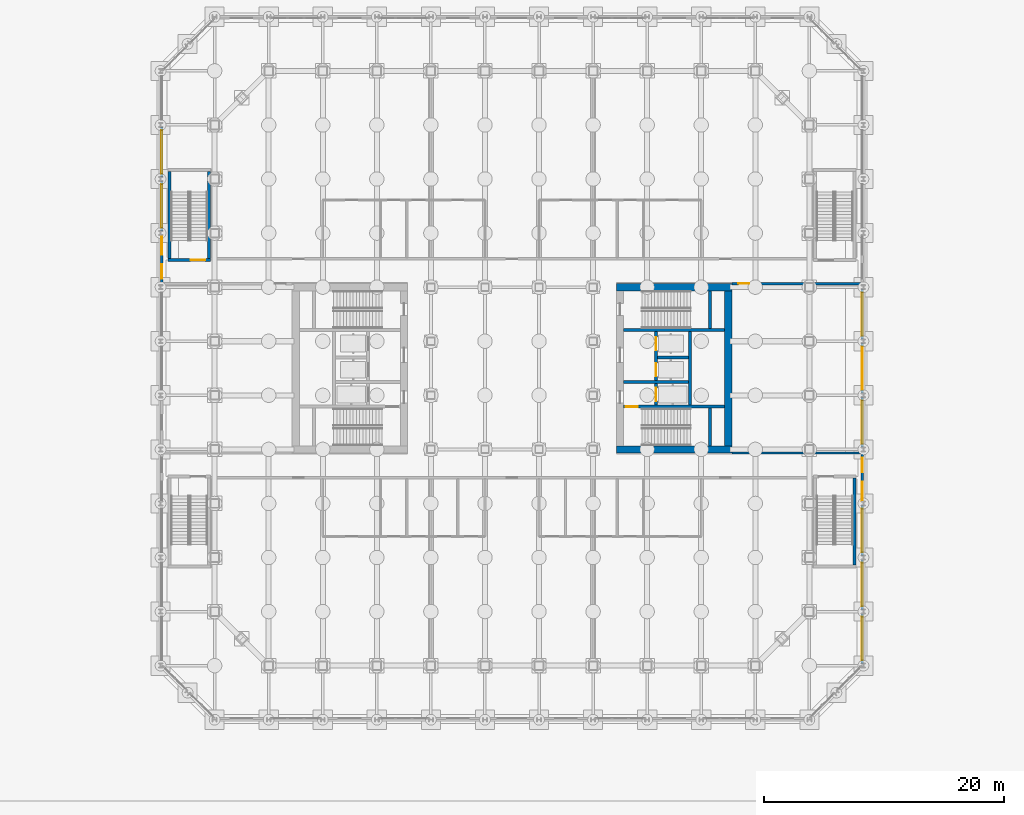
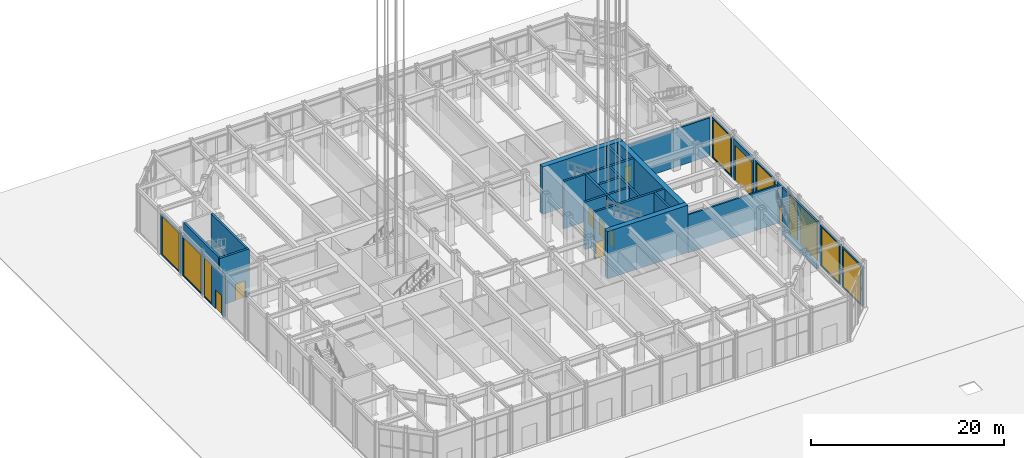
# One storey, part 20 of 39: 27 walls, 9 doors, 9 windows, 18 openings.
"""IFC4 building model written with IfcOpenShell, lengths in metres."""

from ifc_helpers import new_model, si_unit, direction, frame, frame_2d, origin, place, context, subcontext, project, spatial, rectangle, extrude, material, layer, layer_set, type_object, element, fill, save


model = new_model("IFC4")

# Units and contexts
model_context = context("Model", 3, precision=1e-05, world=origin(), true_north=direction((0.0, 1.0)))
body_context = subcontext(model_context, "Body", "Model", "MODEL_VIEW")
ifc_project = project(units=[si_unit("LENGTHUNIT", "METRE"), si_unit("AREAUNIT", "SQUARE_METRE"), si_unit("VOLUMEUNIT", "CUBIC_METRE"), si_unit("PLANEANGLEUNIT", "RADIAN"), si_unit("MASSUNIT", "GRAM", prefix="KILO")], contexts=[model_context])

# Site, building, storey
site_placement = place(None, origin())
site = spatial("IfcSite", under=ifc_project, at=site_placement, CompositionType="ELEMENT")
building_placement = place(site_placement, origin())
building = spatial("IfcBuilding", under=site, at=building_placement, Name="Msasa Ring Tower", CompositionType="ELEMENT")
storey_placement = place(building_placement, origin())
storey = spatial("IfcBuildingStorey", under=building, at=storey_placement, Name="L00", CompositionType="ELEMENT", Elevation=0.0)

# Walls
ifc_material_1 = material(Name="Concrete C60/75", Category="concrete")
ifc_layer_1 = layer(ifc_material_1, 0.60009765625)
ifc_layer_set_1 = layer_set([ifc_layer_1], Name="CW1 CORE WALL 600")
wall_type_1 = type_object("IfcWallType", Name="CW1 CORE WALL 600", PredefinedType="SHEAR", material=ifc_layer_set_1)
for number, where, z_axis, x_axis, name in (
    (1, (8.699951171875, -6.75, 0.0), (0.0, 0.0, 1.0), (1.0, 0.0, 0.0), "E core wall S L00"),
    (2, (8.699951171875, 6.75, 0.0), (0.0, 0.0, 1.0), (1.0, 0.0, 0.0), "E core wall N L00"),
):
    element("IfcWall", number, at=place(storey_placement, frame(where, z_axis=z_axis, x_axis=x_axis)), inside=storey, type_object=wall_type_1, Name=name, PredefinedType="SHEAR", context=body_context, shape_type="SweptSolid", body=[
        extrude(rectangle(XDim=9.60009765625, YDim=0.60009765625, at=frame_2d((4.800048828125, 0.0))), origin(), (0.0, 0.0, 1.0), 6.0),
    ])
wall_1_placement = place(storey_placement, frame((18.0, -6.449951171875, 0.0), z_axis=(0.0, 0.0, 1.0), x_axis=(0.0, 1.0, 0.0)))
element("IfcWall", 3, at=wall_1_placement, inside=storey, type_object=wall_type_1, Name="E core wall E L00", PredefinedType="SHEAR", context=body_context, shape_type="SweptSolid", body=[
    extrude(rectangle(XDim=12.89990234375, YDim=0.60009765625, at=frame_2d((6.449951171875, 0.0))), origin(), (0.0, 0.0, 1.0), 6.0),
])

# Wall, opening, door
ifc_material_2 = material(Name="Concrete C60/75", Category="concrete")
ifc_layer_2 = layer(ifc_material_2, 0.25)
ifc_layer_set_2 = layer_set([ifc_layer_2], Name="CW4 CORE INNER WALL 250")
wall_type_2 = type_object("IfcWallType", Name="CW4 CORE INNER WALL 250", PredefinedType="SHEAR", material=ifc_layer_set_2)
wall_2_placement = place(storey_placement, frame((9.300048828125, -3.199951171875, 0.0), z_axis=(0.0, 0.0, 1.0), x_axis=(1.0, 0.0, 0.0)))
wall_2 = element("IfcWall", 4, at=wall_2_placement, inside=storey, type_object=wall_type_2, Name="E core wall STAIRA L00", PredefinedType="SHEAR", context=body_context, shape_type="SweptSolid", body=[
    extrude(rectangle(XDim=8.39990234375, YDim=0.25, at=frame_2d((4.199951171875, 0.0))), origin(), (0.0, 0.0, 1.0), 6.0),
])
opening_1_placement = place(wall_2_placement, frame((0.14990234375, 0.0, 0.0)))
opening_1 = element("IfcOpeningElement", 5, at=opening_1_placement, cuts=wall_2, Name="Opening L00-033", PredefinedType="OPENING", context=body_context, shape_type="SweptSolid", body=[
    extrude(rectangle(XDim=1.0, YDim=2.10009765625, at=frame_2d((0.5, 1.050048828125))), frame((0.0, 0.135009765625, 0.0), z_axis=(0.0, -1.0, 0.0), x_axis=(1.0, 0.0, 0.0)), (0.0, 0.0, 1.0), 0.27001953125),
])
ifc_material_3 = material(Name="Timber door leaf in a steel frame", Category="steel")
door_type_1 = type_object("IfcDoorType", Name="D6 STAIR DOOR 1000x2100", OperationType="SINGLE_SWING_LEFT", PredefinedType="DOOR", material=ifc_material_3)
door_1_placement = place(opening_1_placement, origin())
door_1 = element("IfcDoor", 6, at=door_1_placement, inside=storey, type_object=door_type_1, Name="Door L00-ESTA", OperationType="SINGLE_SWING_LEFT", OverallHeight=2.10009765625, OverallWidth=1.0, PredefinedType="DOOR", context=body_context, shape_type="SweptSolid", body=[
    extrude(rectangle(XDim=1.0, YDim=2.10009765625, at=frame_2d((0.5, 1.050048828125))), frame((0.0, 0.02490234375, 0.0), z_axis=(0.0, -1.0, 0.0), x_axis=(1.0, 0.0, 0.0)), (0.0, 0.0, 1.0), 0.050048828125),
])
fill(opening_1, door_1)

# Walls
wall_3_placement = place(storey_placement, frame((9.300048828125, 3.199951171875, 0.0), z_axis=(0.0, 0.0, 1.0), x_axis=(1.0, 0.0, 0.0)))
element("IfcWall", 7, at=wall_3_placement, inside=storey, type_object=wall_type_2, Name="E core wall STAIRB L00", PredefinedType="SHEAR", context=body_context, shape_type="SweptSolid", body=[
    extrude(rectangle(XDim=8.39990234375, YDim=0.25, at=frame_2d((4.199951171875, 0.0))), origin(), (0.0, 0.0, 1.0), 6.0),
])
for number, where, z_axis, x_axis, name in (
    (8, (16.5, -6.449951171875, 0.0), (0.0, 0.0, 1.0), (0.0, 1.0, 0.0), "E core wall RISERA L00"),
    (9, (16.5, 3.324951171875, 0.0), (0.0, 0.0, 1.0), (0.0, 1.0, 0.0), "E core wall RISERB L00"),
):
    element("IfcWall", number, at=place(storey_placement, frame(where, z_axis=z_axis, x_axis=x_axis)), inside=storey, type_object=wall_type_2, Name=name, PredefinedType="SHEAR", context=body_context, shape_type="SweptSolid", body=[
        extrude(rectangle(XDim=3.125, YDim=0.25, at=frame_2d((1.5625, 0.0))), origin(), (0.0, 0.0, 1.0), 6.0),
    ])
wall_4_placement = place(storey_placement, frame((9.300048828125, -1.14990234375, 0.0), z_axis=(0.0, 0.0, 1.0), x_axis=(1.0, 0.0, 0.0)))
element("IfcWall", 10, at=wall_4_placement, inside=storey, type_object=wall_type_2, Name="E core wall FFL L00", PredefinedType="SHEAR", context=body_context, shape_type="SweptSolid", body=[
    extrude(rectangle(XDim=5.375, YDim=0.25, at=frame_2d((2.6875, 0.0))), origin(), (0.0, 0.0, 1.0), 6.0),
])

# Wall, openings, doors
wall_5_placement = place(storey_placement, frame((12.0, -3.074951171875, 0.0), z_axis=(0.0, 0.0, 1.0), x_axis=(0.0, 1.0, 0.0)))
wall_5 = element("IfcWall", 11, at=wall_5_placement, inside=storey, type_object=wall_type_2, Name="E core wall LOBBY L00", PredefinedType="SHEAR", context=body_context, shape_type="SweptSolid", body=[
    extrude(rectangle(XDim=6.14990234375, YDim=0.25, at=frame_2d((3.074951171875, 0.0))), origin(), (0.0, 0.0, 1.0), 6.0),
])
opening_2_placement = place(wall_5_placement, frame((0.35009765625, 0.0, 0.0)))
opening_2 = element("IfcOpeningElement", 12, at=opening_2_placement, cuts=wall_5, Name="Opening LD1", PredefinedType="OPENING", context=body_context, shape_type="SweptSolid", body=[
    extrude(rectangle(XDim=1.10009765625, YDim=2.10009765625, at=frame_2d((0.550048828125, 1.050048828125))), frame((0.0, 0.135009765625, 0.0), z_axis=(0.0, -1.0, 0.0), x_axis=(1.0, 0.0, 0.0)), (0.0, 0.0, 1.0), 0.27001953125),
])
opening_3_placement = place(wall_5_placement, frame((2.39990234375, 0.0, 0.0)))
opening_3 = element("IfcOpeningElement", 13, at=opening_3_placement, cuts=wall_5, Name="Opening LD1", PredefinedType="OPENING", context=body_context, shape_type="SweptSolid", body=[
    extrude(rectangle(XDim=1.10009765625, YDim=2.10009765625, at=frame_2d((0.550048828125, 1.050048828125))), frame((0.0, 0.135009765625, 0.0), z_axis=(0.0, -1.0, 0.0), x_axis=(1.0, 0.0, 0.0)), (0.0, 0.0, 1.0), 0.27001953125),
])
opening_4_placement = place(wall_5_placement, frame((4.574951171875, 0.0, 0.0)))
opening_4 = element("IfcOpeningElement", 14, at=opening_4_placement, cuts=wall_5, Name="Opening LD1", PredefinedType="OPENING", context=body_context, shape_type="SweptSolid", body=[
    extrude(rectangle(XDim=1.10009765625, YDim=2.10009765625, at=frame_2d((0.550048828125, 1.050048828125))), frame((0.0, 0.135009765625, 0.0), z_axis=(0.0, -1.0, 0.0), x_axis=(1.0, 0.0, 0.0)), (0.0, 0.0, 1.0), 0.27001953125),
])
ifc_material_4 = material(Name="Stainless steel lift landing door", Category="steel")
door_type_2 = type_object("IfcDoorType", Name="LD1 LIFT LANDING DOOR 1100x2100", OperationType="DOUBLE_DOOR_SLIDING", PredefinedType="DOOR", material=ifc_material_4)
door_2_placement = place(opening_2_placement, origin())
door_2 = element("IfcDoor", 15, at=door_2_placement, inside=storey, type_object=door_type_2, Name="Lift landing door FL-E L00", OperationType="DOUBLE_DOOR_SLIDING", OverallHeight=2.10009765625, OverallWidth=1.10009765625, PredefinedType="DOOR", context=body_context, shape_type="SweptSolid", body=[
    extrude(rectangle(XDim=1.10009765625, YDim=2.10009765625, at=frame_2d((0.550048828125, 1.050048828125))), frame((0.0, 0.02490234375, 0.0), z_axis=(0.0, -1.0, 0.0), x_axis=(1.0, 0.0, 0.0)), (0.0, 0.0, 1.0), 0.050048828125),
])
fill(opening_2, door_2)
door_3_placement = place(opening_3_placement, origin())
door_3 = element("IfcDoor", 16, at=door_3_placement, inside=storey, type_object=door_type_2, Name="Lift landing door PL-R1 L00", OperationType="DOUBLE_DOOR_SLIDING", OverallHeight=2.10009765625, OverallWidth=1.10009765625, PredefinedType="DOOR", context=body_context, shape_type="SweptSolid", body=[
    extrude(rectangle(XDim=1.10009765625, YDim=2.10009765625, at=frame_2d((0.550048828125, 1.050048828125))), frame((0.0, 0.02490234375, 0.0), z_axis=(0.0, -1.0, 0.0), x_axis=(1.0, 0.0, 0.0)), (0.0, 0.0, 1.0), 0.050048828125),
])
fill(opening_3, door_3)
door_4_placement = place(opening_4_placement, origin())
door_4 = element("IfcDoor", 17, at=door_4_placement, inside=storey, type_object=door_type_2, Name="Lift landing door PL-R2 L00", OperationType="DOUBLE_DOOR_SLIDING", OverallHeight=2.10009765625, OverallWidth=1.10009765625, PredefinedType="DOOR", context=body_context, shape_type="SweptSolid", body=[
    extrude(rectangle(XDim=1.10009765625, YDim=2.10009765625, at=frame_2d((0.550048828125, 1.050048828125))), frame((0.0, 0.02490234375, 0.0), z_axis=(0.0, -1.0, 0.0), x_axis=(1.0, 0.0, 0.0)), (0.0, 0.0, 1.0), 0.050048828125),
])
fill(opening_4, door_4)

# Walls
wall_6_placement = place(storey_placement, frame((14.800048828125, -3.074951171875, 0.0), z_axis=(0.0, 0.0, 1.0), x_axis=(0.0, 1.0, 0.0)))
element("IfcWall", 18, at=wall_6_placement, inside=storey, type_object=wall_type_2, Name="E core wall SHAFT L00", PredefinedType="SHEAR", context=body_context, shape_type="SweptSolid", body=[
    extrude(rectangle(XDim=6.14990234375, YDim=0.25, at=frame_2d((3.074951171875, 0.0))), origin(), (0.0, 0.0, 1.0), 6.0),
])
wall_7_placement = place(storey_placement, frame((12.125, 0.89990234375, 0.0), z_axis=(0.0, 0.0, 1.0), x_axis=(1.0, 0.0, 0.0)))
element("IfcWall", 19, at=wall_7_placement, inside=storey, type_object=wall_type_2, Name="E core wall LIFT1 L00", PredefinedType="SHEAR", context=body_context, shape_type="SweptSolid", body=[
    extrude(rectangle(XDim=2.550048828125, YDim=0.25, at=frame_2d((1.27490234375, 0.0))), origin(), (0.0, 0.0, 1.0), 6.0),
])

# Wall, opening, window
ifc_material_5 = material(Name="Terracotta rainscreen on blockwork", Category="masonry")
ifc_layer_3 = layer(ifc_material_5, 0.199951171875)
ifc_layer_set_3 = layer_set([ifc_layer_3], Name="FW2 TERRACOTTA PODIUM BAY WALL 200")
wall_type_3 = type_object("IfcWallType", Name="FW2 TERRACOTTA PODIUM BAY WALL 200", PredefinedType="SOLIDWALL", material=ifc_layer_set_3)
wall_8_placement = place(storey_placement, frame((29.14990234375, -24.562255859375, 0.0), z_axis=(0.0, 0.0, 1.0), x_axis=(0.0, 1.0, 0.0)))
wall_8 = element("IfcWall", 20, at=wall_8_placement, inside=storey, type_object=wall_type_3, Name="Podium bay wall E L00 13", PredefinedType="SOLIDWALL", context=body_context, shape_type="SweptSolid", body=[
    extrude(rectangle(XDim=4.12451171875, YDim=0.199951171875, at=frame_2d((2.062255859375, 0.0))), origin(), (0.0, 0.0, 1.0), 5.1328125),
])
opening_5_placement = place(wall_8_placement, frame((0.26220703125, 0.0, 0.14990234375)))
opening_5 = element("IfcOpeningElement", 21, at=opening_5_placement, cuts=wall_8, Name="Opening SF1", PredefinedType="OPENING", context=body_context, shape_type="SweptSolid", body=[
    extrude(rectangle(XDim=3.60009765625, YDim=4.8330078125, at=frame_2d((1.800048828125, 2.41650390625))), frame((0.0, 0.10986328125, 0.0), z_axis=(0.0, -1.0, 0.0), x_axis=(1.0, 0.0, 0.0)), (0.0, 0.0, 1.0), 0.219970703125),
])
ifc_material_6 = material(Name="Aluminium frame with clear glass", Category="aluminium")
window_type_1 = type_object("IfcWindowType", Name="SF1 SHOPFRONT GLAZING 3600x4833", PartitioningType="SINGLE_PANEL", PredefinedType="WINDOW", material=ifc_material_6)
window_1_placement = place(opening_5_placement, origin())
window_1 = element("IfcWindow", 22, at=window_1_placement, inside=storey, type_object=window_type_1, Name="Shopfront glazing E L00 13", OverallHeight=4.8330078125, OverallWidth=3.60009765625, PartitioningType="SINGLE_PANEL", PredefinedType="WINDOW", context=body_context, shape_type="SweptSolid", body=[
    extrude(rectangle(XDim=3.60009765625, YDim=4.8330078125, at=frame_2d((1.800048828125, 2.41650390625))), frame((0.0, 0.030029296875, 0.0), z_axis=(0.0, -1.0, 0.0), x_axis=(1.0, 0.0, 0.0)), (0.0, 0.0, 1.0), 0.06005859375),
])
fill(opening_5, window_1)

wall_9_placement = place(storey_placement, frame((29.14990234375, -20.062255859375, 0.0), z_axis=(0.0, 0.0, 1.0), x_axis=(0.0, 1.0, 0.0)))
wall_9 = element("IfcWall", 23, at=wall_9_placement, inside=storey, type_object=wall_type_3, Name="Podium bay wall E L00 14", PredefinedType="SOLIDWALL", context=body_context, shape_type="SweptSolid", body=[
    extrude(rectangle(XDim=4.124755859375, YDim=0.199951171875, at=frame_2d((2.0625, 0.0))), origin(), (0.0, 0.0, 1.0), 5.1328125),
])
opening_6_placement = place(wall_9_placement, frame((0.26220703125, 0.0, 0.14990234375)))
opening_6 = element("IfcOpeningElement", 24, at=opening_6_placement, cuts=wall_9, Name="Opening SF1", PredefinedType="OPENING", context=body_context, shape_type="SweptSolid", body=[
    extrude(rectangle(XDim=3.60009765625, YDim=4.8330078125, at=frame_2d((1.800048828125, 2.41650390625))), frame((0.0, 0.10986328125, 0.0), z_axis=(0.0, -1.0, 0.0), x_axis=(1.0, 0.0, 0.0)), (0.0, 0.0, 1.0), 0.219970703125),
])
window_2_placement = place(opening_6_placement, origin())
window_2 = element("IfcWindow", 25, at=window_2_placement, inside=storey, type_object=window_type_1, Name="Shopfront glazing E L00 14", OverallHeight=4.8330078125, OverallWidth=3.60009765625, PartitioningType="SINGLE_PANEL", PredefinedType="WINDOW", context=body_context, shape_type="SweptSolid", body=[
    extrude(rectangle(XDim=3.60009765625, YDim=4.8330078125, at=frame_2d((1.800048828125, 2.41650390625))), frame((0.0, 0.030029296875, 0.0), z_axis=(0.0, -1.0, 0.0), x_axis=(1.0, 0.0, 0.0)), (0.0, 0.0, 1.0), 0.06005859375),
])
fill(opening_6, window_2)

wall_10_placement = place(storey_placement, frame((29.14990234375, -15.5625, 0.0), z_axis=(0.0, 0.0, 1.0), x_axis=(0.0, 1.0, 0.0)))
wall_10 = element("IfcWall", 26, at=wall_10_placement, inside=storey, type_object=wall_type_3, Name="Podium bay wall E L00 15", PredefinedType="SOLIDWALL", context=body_context, shape_type="SweptSolid", body=[
    extrude(rectangle(XDim=4.125, YDim=0.199951171875, at=frame_2d((2.0625, 0.0))), origin(), (0.0, 0.0, 1.0), 5.1328125),
])
opening_7_placement = place(wall_10_placement, frame((0.262451171875, 0.0, 0.14990234375)))
opening_7 = element("IfcOpeningElement", 27, at=opening_7_placement, cuts=wall_10, Name="Opening SF1", PredefinedType="OPENING", context=body_context, shape_type="SweptSolid", body=[
    extrude(rectangle(XDim=3.60009765625, YDim=4.8330078125, at=frame_2d((1.800048828125, 2.41650390625))), frame((0.0, 0.10986328125, 0.0), z_axis=(0.0, -1.0, 0.0), x_axis=(1.0, 0.0, 0.0)), (0.0, 0.0, 1.0), 0.219970703125),
])
window_3_placement = place(opening_7_placement, origin())
window_3 = element("IfcWindow", 28, at=window_3_placement, inside=storey, type_object=window_type_1, Name="Shopfront glazing E L00 15", OverallHeight=4.8330078125, OverallWidth=3.60009765625, PartitioningType="SINGLE_PANEL", PredefinedType="WINDOW", context=body_context, shape_type="SweptSolid", body=[
    extrude(rectangle(XDim=3.60009765625, YDim=4.8330078125, at=frame_2d((1.800048828125, 2.41650390625))), frame((0.0, 0.030029296875, 0.0), z_axis=(0.0, -1.0, 0.0), x_axis=(1.0, 0.0, 0.0)), (0.0, 0.0, 1.0), 0.06005859375),
])
fill(opening_7, window_3)

# Wall, openings, door, window
wall_11_placement = place(storey_placement, frame((29.14990234375, -11.0625, 0.0), z_axis=(0.0, 0.0, 1.0), x_axis=(0.0, 1.0, 0.0)))
wall_11 = element("IfcWall", 29, at=wall_11_placement, inside=storey, type_object=wall_type_3, Name="Podium bay wall E L00 16", PredefinedType="SOLIDWALL", context=body_context, shape_type="SweptSolid", body=[
    extrude(rectangle(XDim=4.125, YDim=0.199951171875, at=frame_2d((2.0625, 0.0))), origin(), (0.0, 0.0, 1.0), 5.1328125),
])
opening_8_placement = place(wall_11_placement, frame((2.412353515625, 0.0, 0.0)))
opening_8 = element("IfcOpeningElement", 30, at=opening_8_placement, cuts=wall_11, Name="Opening L00-036", PredefinedType="OPENING", context=body_context, shape_type="SweptSolid", body=[
    extrude(rectangle(XDim=1.199951171875, YDim=2.39990234375, at=frame_2d((0.60009765625, 1.199951171875))), frame((0.0, 0.10986328125, 0.0), z_axis=(0.0, -1.0, 0.0), x_axis=(1.0, 0.0, 0.0)), (0.0, 0.0, 1.0), 0.219970703125),
])
opening_9_placement = place(wall_11_placement, frame((0.012451171875, 0.0, 0.14990234375)))
opening_9 = element("IfcOpeningElement", 31, at=opening_9_placement, cuts=wall_11, Name="Opening SF5", PredefinedType="OPENING", context=body_context, shape_type="SweptSolid", body=[
    extrude(rectangle(XDim=1.60009765625, YDim=4.8330078125, at=frame_2d((0.800048828125, 2.41650390625))), frame((0.0, 0.10986328125, 0.0), z_axis=(0.0, -1.0, 0.0), x_axis=(1.0, 0.0, 0.0)), (0.0, 0.0, 1.0), 0.219970703125),
])
ifc_material_7 = material(Name="Aluminium frame with clear glass", Category="aluminium")
door_type_3 = type_object("IfcDoorType", Name="ED8 EXIT DOOR 1200x2400", OperationType="SINGLE_SWING_LEFT", PredefinedType="DOOR", material=ifc_material_7)
door_5_placement = place(opening_8_placement, origin())
door_5 = element("IfcDoor", 32, at=door_5_placement, inside=storey, type_object=door_type_3, Name="Exit door E L00", OperationType="SINGLE_SWING_RIGHT", OverallHeight=2.39990234375, OverallWidth=1.199951171875, PredefinedType="DOOR", context=body_context, shape_type="SweptSolid", body=[
    extrude(rectangle(XDim=1.199951171875, YDim=2.39990234375, at=frame_2d((0.60009765625, 1.199951171875))), frame((0.0, 0.02490234375, 0.0), z_axis=(0.0, -1.0, 0.0), x_axis=(1.0, 0.0, 0.0)), (0.0, 0.0, 1.0), 0.050048828125),
])
fill(opening_8, door_5)
ifc_material_8 = material(Name="Aluminium frame with clear glass", Category="aluminium")
window_type_2 = type_object("IfcWindowType", Name="SF5 SHOPFRONT SIDE GLAZING 1600x4833", PartitioningType="SINGLE_PANEL", PredefinedType="WINDOW", material=ifc_material_8)
window_4_placement = place(opening_9_placement, origin())
window_4 = element("IfcWindow", 33, at=window_4_placement, inside=storey, type_object=window_type_2, Name="Shopfront glazing E L00 16", OverallHeight=4.8330078125, OverallWidth=1.60009765625, PartitioningType="SINGLE_PANEL", PredefinedType="WINDOW", context=body_context, shape_type="SweptSolid", body=[
    extrude(rectangle(XDim=1.60009765625, YDim=4.8330078125, at=frame_2d((0.800048828125, 2.41650390625))), frame((0.0, 0.030029296875, 0.0), z_axis=(0.0, -1.0, 0.0), x_axis=(1.0, 0.0, 0.0)), (0.0, 0.0, 1.0), 0.06005859375),
])
fill(opening_9, window_4)

# Wall, opening, window
wall_12_placement = place(storey_placement, frame((29.14990234375, -6.5625, 0.0), z_axis=(0.0, 0.0, 1.0), x_axis=(0.0, 1.0, 0.0)))
wall_12 = element("IfcWall", 34, at=wall_12_placement, inside=storey, type_object=wall_type_3, Name="Podium bay wall E L00 17", PredefinedType="SOLIDWALL", context=body_context, shape_type="SweptSolid", body=[
    extrude(rectangle(XDim=4.124755859375, YDim=0.199951171875, at=frame_2d((2.0625, 0.0))), origin(), (0.0, 0.0, 1.0), 5.1328125),
])
opening_10_placement = place(wall_12_placement, frame((0.262451171875, 0.0, 0.14990234375)))
opening_10 = element("IfcOpeningElement", 35, at=opening_10_placement, cuts=wall_12, Name="Opening SF1", PredefinedType="OPENING", context=body_context, shape_type="SweptSolid", body=[
    extrude(rectangle(XDim=3.60009765625, YDim=4.8330078125, at=frame_2d((1.800048828125, 2.41650390625))), frame((0.0, 0.10986328125, 0.0), z_axis=(0.0, -1.0, 0.0), x_axis=(1.0, 0.0, 0.0)), (0.0, 0.0, 1.0), 0.219970703125),
])
window_5_placement = place(opening_10_placement, origin())
window_5 = element("IfcWindow", 36, at=window_5_placement, inside=storey, type_object=window_type_1, Name="Shopfront glazing E L00 17", OverallHeight=4.8330078125, OverallWidth=3.60009765625, PartitioningType="SINGLE_PANEL", PredefinedType="WINDOW", context=body_context, shape_type="SweptSolid", body=[
    extrude(rectangle(XDim=3.60009765625, YDim=4.8330078125, at=frame_2d((1.800048828125, 2.41650390625))), frame((0.0, 0.030029296875, 0.0), z_axis=(0.0, -1.0, 0.0), x_axis=(1.0, 0.0, 0.0)), (0.0, 0.0, 1.0), 0.06005859375),
])
fill(opening_10, window_5)

# Wall, opening, door
wall_13_placement = place(storey_placement, frame((29.14990234375, -2.062255859375, 0.0), z_axis=(0.0, 0.0, 1.0), x_axis=(0.0, 1.0, 0.0)))
wall_13 = element("IfcWall", 37, at=wall_13_placement, inside=storey, type_object=wall_type_3, Name="Podium bay wall E L00 18", PredefinedType="SOLIDWALL", context=body_context, shape_type="SweptSolid", body=[
    extrude(rectangle(XDim=4.12451171875, YDim=0.199951171875, at=frame_2d((2.062255859375, 0.0))), origin(), (0.0, 0.0, 1.0), 5.1328125),
])
opening_11_placement = place(wall_13_placement, frame((0.26220703125, 0.0, 0.0)))
opening_11 = element("IfcOpeningElement", 38, at=opening_11_placement, cuts=wall_13, Name="Opening L00-029", PredefinedType="OPENING", context=body_context, shape_type="SweptSolid", body=[
    extrude(rectangle(XDim=3.60009765625, YDim=4.5, at=frame_2d((1.800048828125, 2.25))), frame((0.0, 0.10986328125, 0.0), z_axis=(0.0, -1.0, 0.0), x_axis=(1.0, 0.0, 0.0)), (0.0, 0.0, 1.0), 0.219970703125),
])
ifc_material_9 = material(Name="Galvanised steel roller shutter", Category="steel")
door_type_4 = type_object("IfcDoorType", Name="ED7 LOADING BAY ROLLER SHUTTER 3600x4500", OperationType="ROLLINGUP", PredefinedType="DOOR", material=ifc_material_9)
door_6_placement = place(opening_11_placement, origin())
door_6 = element("IfcDoor", 39, at=door_6_placement, inside=storey, type_object=door_type_4, Name="Loading bay roller shutter E L00", OperationType="ROLLINGUP", OverallHeight=4.5, OverallWidth=3.60009765625, PredefinedType="DOOR", context=body_context, shape_type="SweptSolid", body=[
    extrude(rectangle(XDim=3.60009765625, YDim=4.5, at=frame_2d((1.800048828125, 2.25))), frame((0.0, 0.02490234375, 0.0), z_axis=(0.0, -1.0, 0.0), x_axis=(1.0, 0.0, 0.0)), (0.0, 0.0, 1.0), 0.050048828125),
])
fill(opening_11, door_6)

# Wall, opening, window
wall_14_placement = place(storey_placement, frame((29.14990234375, 2.437744140625, 0.0), z_axis=(0.0, 0.0, 1.0), x_axis=(0.0, 1.0, 0.0)))
wall_14 = element("IfcWall", 40, at=wall_14_placement, inside=storey, type_object=wall_type_3, Name="Podium bay wall E L00 19", PredefinedType="SOLIDWALL", context=body_context, shape_type="SweptSolid", body=[
    extrude(rectangle(XDim=4.124755859375, YDim=0.199951171875, at=frame_2d((2.0625, 0.0))), origin(), (0.0, 0.0, 1.0), 5.1328125),
])
opening_12_placement = place(wall_14_placement, frame((0.26220703125, 0.0, 0.14990234375)))
opening_12 = element("IfcOpeningElement", 41, at=opening_12_placement, cuts=wall_14, Name="Opening SF1", PredefinedType="OPENING", context=body_context, shape_type="SweptSolid", body=[
    extrude(rectangle(XDim=3.60009765625, YDim=4.8330078125, at=frame_2d((1.800048828125, 2.41650390625))), frame((0.0, 0.10986328125, 0.0), z_axis=(0.0, -1.0, 0.0), x_axis=(1.0, 0.0, 0.0)), (0.0, 0.0, 1.0), 0.219970703125),
])
window_6_placement = place(opening_12_placement, origin())
window_6 = element("IfcWindow", 42, at=window_6_placement, inside=storey, type_object=window_type_1, Name="Shopfront glazing E L00 19", OverallHeight=4.8330078125, OverallWidth=3.60009765625, PartitioningType="SINGLE_PANEL", PredefinedType="WINDOW", context=body_context, shape_type="SweptSolid", body=[
    extrude(rectangle(XDim=3.60009765625, YDim=4.8330078125, at=frame_2d((1.800048828125, 2.41650390625))), frame((0.0, 0.030029296875, 0.0), z_axis=(0.0, -1.0, 0.0), x_axis=(1.0, 0.0, 0.0)), (0.0, 0.0, 1.0), 0.06005859375),
])
fill(opening_12, window_6)

# Wall, openings, door, window
wall_15_placement = place(storey_placement, frame((-29.14990234375, 6.9375, 0.0), z_axis=(0.0, 0.0, 1.0), x_axis=(0.0, 1.0, 0.0)))
wall_15 = element("IfcWall", 43, at=wall_15_placement, inside=storey, type_object=wall_type_3, Name="Podium bay wall W L00 46", PredefinedType="SOLIDWALL", context=body_context, shape_type="SweptSolid", body=[
    extrude(rectangle(XDim=4.125, YDim=0.199951171875, at=frame_2d((2.0625, 0.0))), origin(), (0.0, 0.0, 1.0), 5.1328125),
])
opening_13_placement = place(wall_15_placement, frame((0.512451171875, 0.0, 0.0)))
opening_13 = element("IfcOpeningElement", 44, at=opening_13_placement, cuts=wall_15, Name="Opening L00-021", PredefinedType="OPENING", context=body_context, shape_type="SweptSolid", body=[
    extrude(rectangle(XDim=1.199951171875, YDim=2.39990234375, at=frame_2d((0.60009765625, 1.199951171875))), frame((0.0, 0.10986328125, 0.0), z_axis=(0.0, -1.0, 0.0), x_axis=(1.0, 0.0, 0.0)), (0.0, 0.0, 1.0), 0.219970703125),
])
opening_14_placement = place(wall_15_placement, frame((2.512451171875, 0.0, 0.14990234375)))
opening_14 = element("IfcOpeningElement", 45, at=opening_14_placement, cuts=wall_15, Name="Opening SF5", PredefinedType="OPENING", context=body_context, shape_type="SweptSolid", body=[
    extrude(rectangle(XDim=1.60009765625, YDim=4.8330078125, at=frame_2d((0.800048828125, 2.41650390625))), frame((0.0, 0.10986328125, 0.0), z_axis=(0.0, -1.0, 0.0), x_axis=(1.0, 0.0, 0.0)), (0.0, 0.0, 1.0), 0.219970703125),
])
door_7_placement = place(opening_13_placement, origin())
door_7 = element("IfcDoor", 46, at=door_7_placement, inside=storey, type_object=door_type_3, Name="Exit door W L00", OperationType="SINGLE_SWING_LEFT", OverallHeight=2.39990234375, OverallWidth=1.199951171875, PredefinedType="DOOR", context=body_context, shape_type="SweptSolid", body=[
    extrude(rectangle(XDim=1.199951171875, YDim=2.39990234375, at=frame_2d((0.60009765625, 1.199951171875))), frame((0.0, 0.02490234375, 0.0), z_axis=(0.0, -1.0, 0.0), x_axis=(1.0, 0.0, 0.0)), (0.0, 0.0, 1.0), 0.050048828125),
])
fill(opening_13, door_7)
window_7_placement = place(opening_14_placement, origin())
window_7 = element("IfcWindow", 47, at=window_7_placement, inside=storey, type_object=window_type_2, Name="Shopfront glazing W L00 46", OverallHeight=4.8330078125, OverallWidth=1.60009765625, PartitioningType="SINGLE_PANEL", PredefinedType="WINDOW", context=body_context, shape_type="SweptSolid", body=[
    extrude(rectangle(XDim=1.60009765625, YDim=4.8330078125, at=frame_2d((0.800048828125, 2.41650390625))), frame((0.0, 0.030029296875, 0.0), z_axis=(0.0, -1.0, 0.0), x_axis=(1.0, 0.0, 0.0)), (0.0, 0.0, 1.0), 0.06005859375),
])
fill(opening_14, window_7)

# Wall, opening, window
wall_16_placement = place(storey_placement, frame((-29.14990234375, 11.4375, 0.0), z_axis=(0.0, 0.0, 1.0), x_axis=(0.0, 1.0, 0.0)))
wall_16 = element("IfcWall", 48, at=wall_16_placement, inside=storey, type_object=wall_type_3, Name="Podium bay wall W L00 47", PredefinedType="SOLIDWALL", context=body_context, shape_type="SweptSolid", body=[
    extrude(rectangle(XDim=4.125, YDim=0.199951171875, at=frame_2d((2.0625, 0.0))), origin(), (0.0, 0.0, 1.0), 5.1328125),
])
opening_15_placement = place(wall_16_placement, frame((0.262451171875, 0.0, 0.14990234375)))
opening_15 = element("IfcOpeningElement", 49, at=opening_15_placement, cuts=wall_16, Name="Opening SF1", PredefinedType="OPENING", context=body_context, shape_type="SweptSolid", body=[
    extrude(rectangle(XDim=3.60009765625, YDim=4.8330078125, at=frame_2d((1.800048828125, 2.41650390625))), frame((0.0, 0.10986328125, 0.0), z_axis=(0.0, -1.0, 0.0), x_axis=(1.0, 0.0, 0.0)), (0.0, 0.0, 1.0), 0.219970703125),
])
window_8_placement = place(opening_15_placement, origin())
window_8 = element("IfcWindow", 50, at=window_8_placement, inside=storey, type_object=window_type_1, Name="Shopfront glazing W L00 47", OverallHeight=4.8330078125, OverallWidth=3.60009765625, PartitioningType="SINGLE_PANEL", PredefinedType="WINDOW", context=body_context, shape_type="SweptSolid", body=[
    extrude(rectangle(XDim=3.60009765625, YDim=4.8330078125, at=frame_2d((1.800048828125, 2.41650390625))), frame((0.0, 0.030029296875, 0.0), z_axis=(0.0, -1.0, 0.0), x_axis=(1.0, 0.0, 0.0)), (0.0, 0.0, 1.0), 0.06005859375),
])
fill(opening_15, window_8)

wall_17_placement = place(storey_placement, frame((-29.14990234375, 15.9375, 0.0), z_axis=(0.0, 0.0, 1.0), x_axis=(0.0, 1.0, 0.0)))
wall_17 = element("IfcWall", 51, at=wall_17_placement, inside=storey, type_object=wall_type_3, Name="Podium bay wall W L00 48", PredefinedType="SOLIDWALL", context=body_context, shape_type="SweptSolid", body=[
    extrude(rectangle(XDim=4.124755859375, YDim=0.199951171875, at=frame_2d((2.0625, 0.0))), origin(), (0.0, 0.0, 1.0), 5.1328125),
])
opening_16_placement = place(wall_17_placement, frame((0.262451171875, 0.0, 0.14990234375)))
opening_16 = element("IfcOpeningElement", 52, at=opening_16_placement, cuts=wall_17, Name="Opening SF1", PredefinedType="OPENING", context=body_context, shape_type="SweptSolid", body=[
    extrude(rectangle(XDim=3.60009765625, YDim=4.8330078125, at=frame_2d((1.800048828125, 2.41650390625))), frame((0.0, 0.10986328125, 0.0), z_axis=(0.0, -1.0, 0.0), x_axis=(1.0, 0.0, 0.0)), (0.0, 0.0, 1.0), 0.219970703125),
])
window_9_placement = place(opening_16_placement, origin())
window_9 = element("IfcWindow", 53, at=window_9_placement, inside=storey, type_object=window_type_1, Name="Shopfront glazing W L00 48", OverallHeight=4.8330078125, OverallWidth=3.60009765625, PartitioningType="SINGLE_PANEL", PredefinedType="WINDOW", context=body_context, shape_type="SweptSolid", body=[
    extrude(rectangle(XDim=3.60009765625, YDim=4.8330078125, at=frame_2d((1.800048828125, 2.41650390625))), frame((0.0, 0.030029296875, 0.0), z_axis=(0.0, -1.0, 0.0), x_axis=(1.0, 0.0, 0.0)), (0.0, 0.0, 1.0), 0.06005859375),
])
fill(opening_16, window_9)

# Wall, opening, door
ifc_material_10 = material(Name="Concrete blockwork", Category="masonry")
ifc_layer_4 = layer(ifc_material_10, 0.199951171875)
ifc_layer_set_4 = layer_set([ifc_layer_4], Name="PT1 CORRIDOR WALL 200")
wall_type_4 = type_object("IfcWallType", Name="PT1 CORRIDOR WALL 200", PredefinedType="PARTITIONING", material=ifc_layer_set_4)
wall_18_placement = place(storey_placement, frame((18.300048828125, 7.050048828125, 0.0), z_axis=(0.0, 0.0, 1.0), x_axis=(1.0, 0.0, 0.0)))
wall_18 = element("IfcWall", 54, at=wall_18_placement, inside=storey, type_object=wall_type_4, Name="Corridor wall L00-STREN", PredefinedType="PARTITIONING", context=body_context, shape_type="SweptSolid", body=[
    extrude(rectangle(XDim=10.75, YDim=0.199951171875, at=frame_2d((5.375, 0.0))), origin(), (0.0, 0.0, 1.0), 4.8291015625),
])
opening_17_placement = place(wall_18_placement, frame((0.550048828125, 0.0, 0.0)))
opening_17 = element("IfcOpeningElement", 55, at=opening_17_placement, cuts=wall_18, Name="Opening L00-024", PredefinedType="OPENING", context=body_context, shape_type="SweptSolid", body=[
    extrude(rectangle(XDim=0.89990234375, YDim=2.10009765625, at=frame_2d((0.449951171875, 1.050048828125))), frame((0.0, 0.10986328125, 0.0), z_axis=(0.0, -1.0, 0.0), x_axis=(1.0, 0.0, 0.0)), (0.0, 0.0, 1.0), 0.219970703125),
])
ifc_material_11 = material(Name="Timber door leaf in a steel frame", Category="steel")
door_type_5 = type_object("IfcDoorType", Name="D1 SINGLE DOOR TO CORRIDOR 900x2100", OperationType="SINGLE_SWING_LEFT", PredefinedType="DOOR", material=ifc_material_11)
door_8_placement = place(opening_17_placement, origin())
door_8 = element("IfcDoor", 56, at=door_8_placement, inside=storey, type_object=door_type_5, Name="Door L00-PSE", OperationType="SINGLE_SWING_LEFT", OverallHeight=2.10009765625, OverallWidth=0.89990234375, PredefinedType="DOOR", context=body_context, shape_type="SweptSolid", body=[
    extrude(rectangle(XDim=0.89990234375, YDim=2.10009765625, at=frame_2d((0.449951171875, 1.050048828125))), frame((0.0, 0.02490234375, 0.0), z_axis=(0.0, -1.0, 0.0), x_axis=(1.0, 0.0, 0.0)), (0.0, 0.0, 1.0), 0.050048828125),
])
fill(opening_17, door_8)

# Walls
wall_19_placement = place(storey_placement, frame((18.300048828125, -7.050048828125, 0.0), z_axis=(0.0, 0.0, 1.0), x_axis=(1.0, 0.0, 0.0)))
element("IfcWall", 57, at=wall_19_placement, inside=storey, type_object=wall_type_4, Name="Corridor wall L00-STRES", PredefinedType="PARTITIONING", context=body_context, shape_type="SweptSolid", body=[
    extrude(rectangle(XDim=10.75, YDim=0.199951171875, at=frame_2d((5.375, 0.0))), origin(), (0.0, 0.0, 1.0), 4.8291015625),
])
ifc_material_12 = material(Name="Concrete C60/75", Category="concrete")
ifc_layer_5 = layer(ifc_material_12, 0.25)
ifc_layer_set_5 = layer_set([ifc_layer_5], Name="SW1 STAIR WALL 250")
wall_type_5 = type_object("IfcWallType", Name="SW1 STAIR WALL 250", PredefinedType="SHEAR", material=ifc_layer_set_5)
wall_20_placement = place(storey_placement, frame((28.5, -16.375, 0.0), z_axis=(0.0, 0.0, 1.0), x_axis=(0.0, 1.0, 0.0)))
element("IfcWall", 58, at=wall_20_placement, inside=storey, type_object=wall_type_5, Name="Podium stair ES wall E L00", PredefinedType="SHEAR", context=body_context, shape_type="SweptSolid", body=[
    extrude(rectangle(XDim=7.25, YDim=0.25, at=frame_2d((3.625, 0.0))), origin(), (0.0, 0.0, 1.0), 6.0),
])

# Wall, opening, door
wall_21_placement = place(storey_placement, frame((-28.625, 9.0, 0.0), z_axis=(0.0, 0.0, 1.0), x_axis=(1.0, 0.0, 0.0)))
wall_21 = element("IfcWall", 59, at=wall_21_placement, inside=storey, type_object=wall_type_5, Name="Podium stair WN wall S L00", PredefinedType="SHEAR", context=body_context, shape_type="SweptSolid", body=[
    extrude(rectangle(XDim=3.550048828125, YDim=0.25, at=frame_2d((1.77490234375, 0.0))), origin(), (0.0, 0.0, 1.0), 6.0),
])
opening_18_placement = place(wall_21_placement, frame((1.875, 0.0, 0.0)))
opening_18 = element("IfcOpeningElement", 60, at=opening_18_placement, cuts=wall_21, Name="Opening L00-019", PredefinedType="OPENING", context=body_context, shape_type="SweptSolid", body=[
    extrude(rectangle(XDim=1.199951171875, YDim=2.10009765625, at=frame_2d((0.60009765625, 1.050048828125))), frame((0.0, 0.135009765625, 0.0), z_axis=(0.0, -1.0, 0.0), x_axis=(1.0, 0.0, 0.0)), (0.0, 0.0, 1.0), 0.27001953125),
])
ifc_material_13 = material(Name="Timber door leaf in a steel frame", Category="steel")
door_type_6 = type_object("IfcDoorType", Name="D7 WIDE STAIR DOOR 1200x2100", OperationType="SINGLE_SWING_LEFT", PredefinedType="DOOR", material=ifc_material_13)
door_9_placement = place(opening_18_placement, origin())
door_9 = element("IfcDoor", 61, at=door_9_placement, inside=storey, type_object=door_type_6, Name="Door L00-PSTWN", OperationType="SINGLE_SWING_RIGHT", OverallHeight=2.10009765625, OverallWidth=1.199951171875, PredefinedType="DOOR", context=body_context, shape_type="SweptSolid", body=[
    extrude(rectangle(XDim=1.199951171875, YDim=2.10009765625, at=frame_2d((0.60009765625, 1.050048828125))), frame((0.0, 0.02490234375, 0.0), z_axis=(0.0, -1.0, 0.0), x_axis=(1.0, 0.0, 0.0)), (0.0, 0.0, 1.0), 0.050048828125),
])
fill(opening_18, door_9)

# Walls
for number, where, z_axis, x_axis, name in (
    (62, (-28.5, 9.125, 0.0), (0.0, 0.0, 1.0), (0.0, 1.0, 0.0), "Podium stair WN wall W L00"),
    (63, (-25.199951171875, 9.125, 0.0), (0.0, 0.0, 1.0), (0.0, 1.0, 0.0), "Podium stair WN wall E L00"),
):
    element("IfcWall", number, at=place(storey_placement, frame(where, z_axis=z_axis, x_axis=x_axis)), inside=storey, type_object=wall_type_5, Name=name, PredefinedType="SHEAR", context=body_context, shape_type="SweptSolid", body=[
        extrude(rectangle(XDim=7.25, YDim=0.25, at=frame_2d((3.625, 0.0))), origin(), (0.0, 0.0, 1.0), 6.0),
    ])

save(model, "model.ifc")
